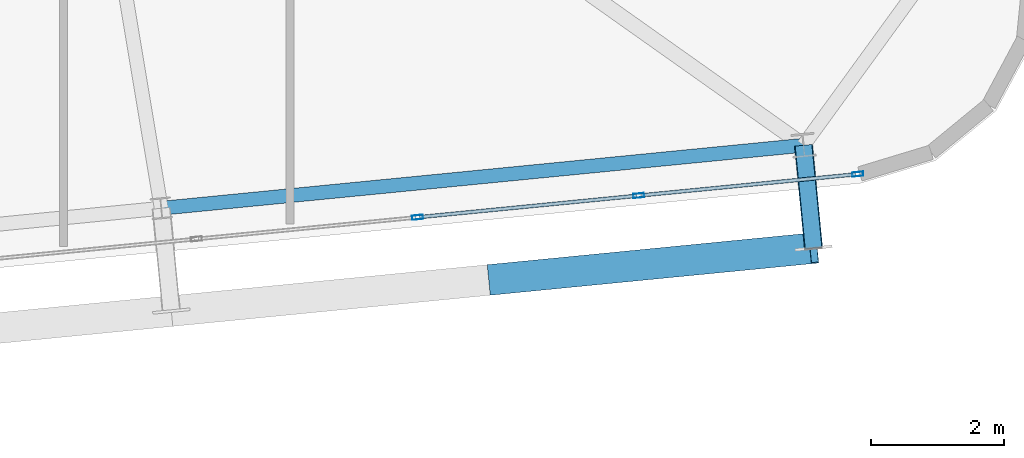
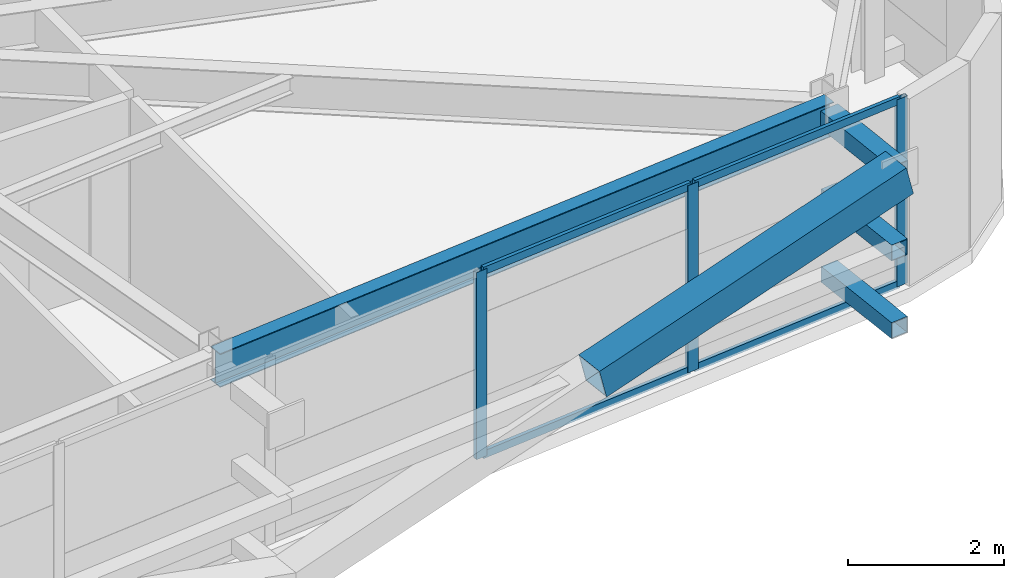
# One storey, part 20 of 52: 11 members, 1 beam, 1 element without a shape of its own.
"""IFC4 building model written with IfcOpenShell, lengths in metres."""

from ifc_helpers import new_model, si_unit, direction, frame, origin, origin_2d, place, context, subcontext, project, spatial, hollow_rectangle, i_section, extrude, source, transform, mapped, material, layer, layer_set, material_profile, profile_set, type_object, element, aggregate, save


model = new_model("IFC4")

# Units and contexts
model_context = context("Model", 3, precision=1e-05, world=origin(), true_north=direction((0.0, 1.0)))
body_context = subcontext(model_context, "Body", "Model", "MODEL_VIEW")
ifc_project = project(units=[si_unit("LENGTHUNIT", "METRE"), si_unit("AREAUNIT", "SQUARE_METRE"), si_unit("VOLUMEUNIT", "CUBIC_METRE"), si_unit("PLANEANGLEUNIT", "RADIAN"), si_unit("MASSUNIT", "GRAM", prefix="KILO")], contexts=[model_context])

# Site, building, storey
site_placement = place(None, origin())
site = spatial("IfcSite", under=ifc_project, at=site_placement, CompositionType="ELEMENT")
building_placement = place(site_placement, origin())
building = spatial("IfcBuilding", under=site, at=building_placement, Name="Taldren Reach Tower", CompositionType="ELEMENT")
storey_placement = place(building_placement, frame((0.0, 0.0, 93.449951171875)))
storey = spatial("IfcBuildingStorey", under=building, at=storey_placement, Name="L28", CompositionType="ELEMENT", Elevation=93.449951171875)

# Members
ifc_material_1 = material(Name="Steel Gr 450 (C450L0)", Category="steel")
ifc_material_profile_1 = material_profile(ifc_material_1, hollow_rectangle(XDim=0.27490234375, YDim=0.27490234375, WallThickness=0.00927734375, at=origin_2d()), Name="275x275x9.3SHS")
ifc_profile_set_1 = profile_set([ifc_material_profile_1], Name="Steel Gr 450 (C450L0)")
member_type_1 = type_object("IfcMemberType", Name="MB-TIE273", PredefinedType="STRUT", material=ifc_profile_set_1)
shared_shape_1 = source(origin(), body_context, "Body", "SweptSolid", [
    extrude(hollow_rectangle(XDim=0.27490234375, YDim=0.27490234375, WallThickness=0.00927734375, at=origin_2d()), origin(), (0.0, 0.0, 1.0), 1.5498046875),
])
member_1_placement = place(storey_placement, frame((63.103271484375, 4.64306640625, 2.650146484375), z_axis=(0.097507178627, -0.995234821595, 0.0), x_axis=(0.995234821595, 0.097507178627, 0.0)))
element("IfcMember", 1, at=member_1_placement, inside=storey, type_object=member_type_1, Name="Exoskeleton diaphragm tie strut B2-S6 L28", PredefinedType="STRUT", context=body_context, shape_type="MappedRepresentation", body=[
    mapped(shared_shape_1, transform((0.0, 0.0, 0.0), scale=1.0)),
])
ifc_material_2 = material(Name="Steel Gr 350 (C350L0)", Category="steel")
ifc_material_profile_2 = material_profile(ifc_material_2, hollow_rectangle(XDim=0.25, YDim=0.25, WallThickness=0.010009765625, at=origin_2d()), Name="250x250x10.0SHS")
ifc_profile_set_2 = profile_set([ifc_material_profile_2], Name="Steel Gr 350 (C350L0)")
member_type_2 = type_object("IfcMemberType", Name="MB-POST250", PredefinedType="POST", material=ifc_profile_set_2)
shared_shape_2 = source(origin(), body_context, "Body", "SweptSolid", [
    extrude(hollow_rectangle(XDim=0.25, YDim=0.25, WallThickness=0.010009765625, at=origin_2d()), origin(), (0.0, 0.0, 1.0), 1.5498046875),
])
for number, where, z_axis, x_axis, name in (
    (2, (63.103271484375, 4.64306640625, 0.219970703125), (0.097507178627, -0.995234821595, 0.0), (0.995234821595, 0.097507178627, 0.0), "Exoskeleton base diaphragm tie strut B2-S6 L28"),
    (3, (63.103271484375, 4.64306640625, 1.43505859375), (0.097507178627, -0.995234821595, 0.0), (0.995234821595, 0.097507178627, 0.0), "Exoskeleton mid-tier diaphragm tie B2-S6 L28"),
):
    element("IfcMember", number, at=place(storey_placement, frame(where, z_axis=z_axis, x_axis=x_axis)), inside=storey, type_object=member_type_2, Name=name, PredefinedType="POST", context=body_context, shape_type="MappedRepresentation", body=[
        mapped(shared_shape_2, transform((0.0, 0.0, 0.0), scale=1.0)),
    ])

# Beam
ifc_material_3 = material(Name="Steel Gr 350 (350PLUS)", Category="steel")
ifc_material_profile_3 = material_profile(ifc_material_3, i_section(OverallWidth=0.208984375, OverallDepth=0.528076171875, WebThickness=0.009521484375, FlangeThickness=0.01318359375, at=origin_2d()), Name="530UB82.0")
ifc_profile_set_3 = profile_set([ifc_material_profile_3], Name="Steel Gr 350 (350PLUS)")
beam_type = type_object("IfcBeamType", Name="SP-UB530B", PredefinedType="SPANDREL", material=ifc_profile_set_3)
shared_shape_3 = source(origin(), body_context, "Body", "SweptSolid", [
    extrude(i_section(OverallWidth=0.208984375, OverallDepth=0.528076171875, WebThickness=0.009521484375, FlangeThickness=0.01318359375, at=origin_2d()), origin(), (0.0, 0.0, 1.0), 9.679931640625),
])
beam_placement = place(storey_placement, frame((53.469482421875, 3.698486328125, 2.666015625), z_axis=(0.995227612658, 0.097580730699, 0.0), x_axis=(-0.097580730699, 0.995227612658, 0.0)))
element("IfcBeam", 4, at=beam_placement, inside=storey, type_object=beam_type, Name="Perimeter spandrel B2 S5-S6 L28", PredefinedType="SPANDREL", context=body_context, shape_type="MappedRepresentation", body=[
    mapped(shared_shape_3, transform((0.0, 0.0, 0.0), scale=1.0)),
])

# Member
ifc_material_profile_4 = material_profile(ifc_material_1, hollow_rectangle(XDim=0.4599609375, YDim=0.4599609375, WallThickness=0.01611328125, at=origin_2d()), Name="460x460x16.0SHS")
ifc_profile_set_4 = profile_set([ifc_material_profile_4], Name="Steel Gr 450 (C450L0)")
member_type_3 = type_object("IfcMemberType", Name="MB-EXO457", PredefinedType="BRACE", material=ifc_profile_set_4)
shared_shape_4 = source(origin(), body_context, "Body", "SweptSolid", [
    extrude(hollow_rectangle(XDim=0.4599609375, YDim=0.4599609375, WallThickness=0.01611328125, at=origin_2d()), origin(), (0.0, 0.0, 1.0), 4.990234375),
])
member_2_placement = place(storey_placement, frame((58.4375, 2.628173828125, 1.43505859375), z_axis=(0.965271056716, 0.094667992638, 0.243494883389), x_axis=(-0.097605711627, 0.995225162995, 0.0)))
element("IfcMember", 5, at=member_2_placement, inside=storey, type_object=member_type_3, Name="Exoskeleton Diagrid Brace B2-S5 L28", PredefinedType="BRACE", context=body_context, shape_type="MappedRepresentation", body=[
    mapped(shared_shape_4, transform((0.0, 0.0, 0.0), scale=1.0)),
])

# Curtain wall, members
ifc_material_4 = material(Name="Aluminium and Low-E Glass Unitised System", Category="aluminium")
ifc_layer = layer(ifc_material_4, 0.159912109375)
ifc_layer_set = layer_set([ifc_layer], Name="Aluminium and Low-E Glass Unitised System")
curtain_wall_type = type_object("IfcCurtainWallType", Name="CW-SYS-3", PredefinedType="NOTDEFINED", material=ifc_layer_set)
curtain_wall_placement = place(storey_placement, origin())
curtain_wall = element("IfcCurtainWall", 6, at=curtain_wall_placement, inside=storey, type_object=curtain_wall_type, Name="Unitised curtain wall CW-L28-S", PredefinedType="NOTDEFINED")
ifc_material_5 = material(Name="Anodised Aluminium 6063-T6", Category="aluminium")
ifc_material_profile_5 = material_profile(ifc_material_5, hollow_rectangle(XDim=0.06494140625, YDim=0.1650390625, WallThickness=0.00390625, at=origin_2d()), Name="ALU-165x65x4RHS")
ifc_profile_set_5 = profile_set([ifc_material_profile_5], Name="Anodised Aluminium 6063-T6")
member_type_4 = type_object("IfcMemberType", Name="CW-MUL-165", PredefinedType="MULLION", material=ifc_profile_set_5)
shared_shape_5 = source(origin(), body_context, "Body", "SweptSolid", [
    extrude(hollow_rectangle(XDim=0.06494140625, YDim=0.1650390625, WallThickness=0.00390625, at=origin_2d()), origin(), (0.0, 0.0, 1.0), 2.929931640625),
])
member_3_placement = place(storey_placement, frame((57.314208984375, 3.56298828125, 0.0), z_axis=(0.0, 0.0, 1.0), x_axis=(-0.097582999046, 0.995227390247, 0.0)))
member_3 = element("IfcMember", 7, at=member_3_placement, type_object=member_type_4, Name="CW-3 mullion 14", PredefinedType="MULLION", context=body_context, shape_type="MappedRepresentation", body=[
    mapped(shared_shape_5, transform((0.0, 0.0, 0.0), scale=1.0)),
])
member_4_placement = place(storey_placement, frame((60.631591796875, 3.888427734375, 0.0), z_axis=(0.0, 0.0, 1.0), x_axis=(-0.097582999046, 0.995227390247, 0.0)))
member_4 = element("IfcMember", 8, at=member_4_placement, type_object=member_type_4, Name="CW-3 mullion 15", PredefinedType="MULLION", context=body_context, shape_type="MappedRepresentation", body=[
    mapped(shared_shape_5, transform((0.0, 0.0, 0.0), scale=1.0)),
])
member_5_placement = place(storey_placement, frame((63.916748046875, 4.21044921875, 0.0), z_axis=(0.0, 0.0, 1.0), x_axis=(-0.097582999046, 0.995227390247, 0.0)))
member_5 = element("IfcMember", 9, at=member_5_placement, type_object=member_type_4, Name="CW-3 mullion 16", PredefinedType="MULLION", context=body_context, shape_type="MappedRepresentation", body=[
    mapped(shared_shape_5, transform((0.0, 0.0, 0.0), scale=1.0)),
])
ifc_material_profile_6 = material_profile(ifc_material_5, hollow_rectangle(XDim=0.054931640625, YDim=0.1201171875, WallThickness=0.0029296875, at=origin_2d()), Name="ALU-120x55x3RHS")
ifc_profile_set_6 = profile_set([ifc_material_profile_6], Name="Anodised Aluminium 6063-T6")
member_type_5 = type_object("IfcMemberType", Name="CW-TRN-135", PredefinedType="USERDEFINED", material=ifc_profile_set_6)
shared_shape_6 = source(origin(), body_context, "Body", "SweptSolid", [
    extrude(hollow_rectangle(XDim=0.054931640625, YDim=0.1201171875, WallThickness=0.0029296875, at=origin_2d()), origin(), (0.0, 0.0, 1.0), 3.23583984375),
])
member_6_placement = place(storey_placement, frame((60.6640625, 3.8916015625, 0.027587890625), z_axis=(0.995230248826, 0.097553840629, 0.0), x_axis=(-0.097553840629, 0.995230248826, 0.0)))
member_6 = element("IfcMember", 10, at=member_6_placement, type_object=member_type_5, Name="CW-3 transom 15.1", ObjectType="TRANSOM", PredefinedType="USERDEFINED", context=body_context, shape_type="MappedRepresentation", body=[
    mapped(shared_shape_6, transform((0.0, 0.0, 0.0), scale=1.0)),
])
member_7_placement = place(storey_placement, frame((60.6640625, 3.8916015625, 2.902587890625), z_axis=(0.995230248826, 0.097553840629, 0.0), x_axis=(-0.097553840629, 0.995230248826, 0.0)))
member_7 = element("IfcMember", 11, at=member_7_placement, type_object=member_type_5, Name="CW-3 transom 15.2", ObjectType="TRANSOM", PredefinedType="USERDEFINED", context=body_context, shape_type="MappedRepresentation", body=[
    mapped(shared_shape_6, transform((0.0, 0.0, 0.0), scale=1.0)),
])
shared_shape_7 = source(origin(), body_context, "Body", "SweptSolid", [
    extrude(hollow_rectangle(XDim=0.054931640625, YDim=0.1201171875, WallThickness=0.0029296875, at=origin_2d()), origin(), (0.0, 0.0, 1.0), 3.268310546875),
])
member_8_placement = place(storey_placement, frame((57.3466796875, 3.566162109375, 0.027587890625), z_axis=(0.995222549564, 0.097632355496, 0.0), x_axis=(-0.097632355496, 0.995222549564, 0.0)))
member_8 = element("IfcMember", 12, at=member_8_placement, type_object=member_type_5, Name="CW-3 transom 14.1", ObjectType="TRANSOM", PredefinedType="USERDEFINED", context=body_context, shape_type="MappedRepresentation", body=[
    mapped(shared_shape_7, transform((0.0, 0.0, 0.0), scale=1.0)),
])
member_9_placement = place(storey_placement, frame((57.3466796875, 3.566162109375, 2.902587890625), z_axis=(0.995222549564, 0.097632355496, 0.0), x_axis=(-0.097632355496, 0.995222549564, 0.0)))
member_9 = element("IfcMember", 13, at=member_9_placement, type_object=member_type_5, Name="CW-3 transom 14.2", ObjectType="TRANSOM", PredefinedType="USERDEFINED", context=body_context, shape_type="MappedRepresentation", body=[
    mapped(shared_shape_7, transform((0.0, 0.0, 0.0), scale=1.0)),
])
aggregate(curtain_wall, [member_3, member_4, member_5, member_8, member_9, member_6, member_7])

save(model, "model.ifc")
